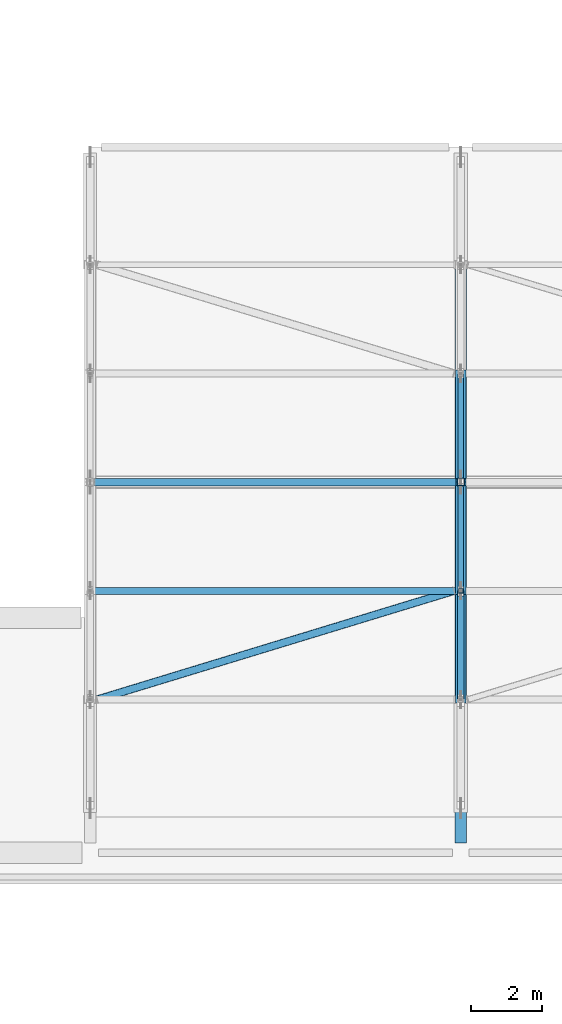
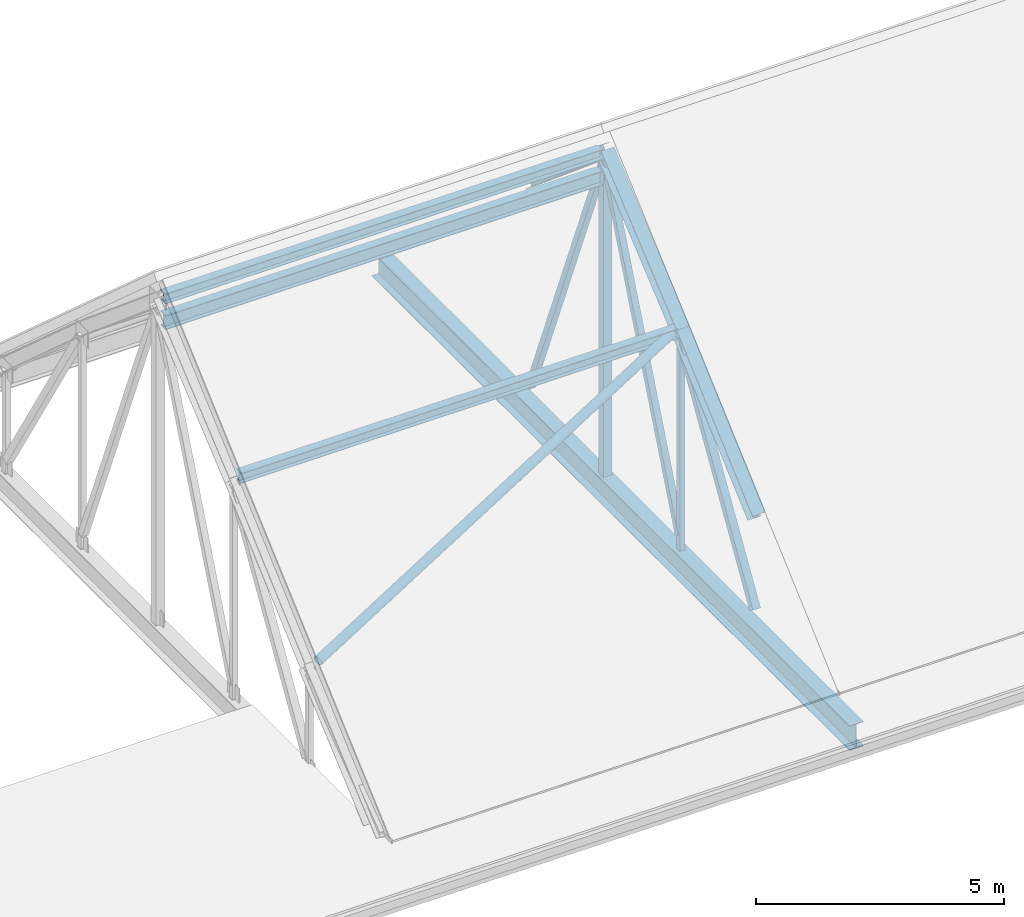
# One storey, part 13 of 86: 10 members, 3 beams.
"""IFC4 building model written with IfcOpenShell, lengths in metres."""

import ifcopenshell
import ifcopenshell.guid

model = None  # the IFC model being written
_history = None  # IfcOwnerHistory: only IFC2X3 demands one
_inside = {}  # id of a spatial element -> (the spatial element, [elements in it])
_under = {}  # id of a project, library or spatial element -> (it, [spatial elements below it])
_declared = {}  # id of a project -> (the project, [libraries it declares])
_typed = {}  # id of a type object -> (the type object, [elements of that type])
_made_of = {}  # id of a material, layer set ... -> (it, [elements and type objects made of it])


def new_model(schema):
    """Start an empty IFC model of exactly this schema.

    Asked for "IFC4X3", IfcOpenShell would pick the latest addendum, in which some entities
    have other attributes; the version numbers below select the first issue.
    IFC2X3 requires an IfcOwnerHistory on every rooted entity: one is made here for all.
    """
    global model, _history
    if schema == "IFC4X3":
        model = ifcopenshell.file(schema_version=(4, 3, 0, 0))
    else:
        model = ifcopenshell.file(schema=schema)
    _inside.clear()
    _under.clear()
    _declared.clear()
    _typed.clear()
    _made_of.clear()
    _history = None
    if model.schema == "IFC2X3":
        org = make("IfcOrganization", Name="unknown")
        user = make(
            "IfcPersonAndOrganization",
            ThePerson=make("IfcPerson", FamilyName="unknown"),
            TheOrganization=org,
        )
        app = make(
            "IfcApplication",
            ApplicationDeveloper=org,
            Version="unknown",
            ApplicationFullName="unknown",
            ApplicationIdentifier="unknown",
        )
        _history = make(
            "IfcOwnerHistory",
            OwningUser=user,
            OwningApplication=app,
            ChangeAction="ADDED",
            CreationDate=0,
        )
    return model


def make(cls, **values):
    """One entity of the class cls with the attributes given. An attribute that is None is left unset."""
    return model.create_entity(
        cls, **{name: value for name, value in values.items() if value is not None}
    )


def rooted(cls, **values):
    """An entity with a GlobalId (a new one), such as an element, a storey or a relation."""
    return make(cls, GlobalId=ifcopenshell.guid.new(), OwnerHistory=_history, **values)


def si_unit(unit_type, name, prefix=None):
    """IfcSIUnit, for example si_unit("LENGTHUNIT", "METRE", prefix="MILLI")."""
    return make("IfcSIUnit", UnitType=unit_type, Prefix=prefix, Name=name)


def derived_unit(unit_type, elements):
    """IfcDerivedUnit: a product of units, each with its exponent."""
    return make(
        "IfcDerivedUnit",
        Elements=[
            make("IfcDerivedUnitElement", Unit=unit, Exponent=power)
            for unit, power in elements
        ],
        UnitType=unit_type,
    )


def assignment(units):
    """IfcUnitAssignment: the units of a project."""
    return None if units is None else make("IfcUnitAssignment", Units=units)


def point(xyz):
    """IfcCartesianPoint."""
    return None if xyz is None else make("IfcCartesianPoint", Coordinates=xyz)


def direction(xyz):
    """IfcDirection."""
    return None if xyz is None else make("IfcDirection", DirectionRatios=xyz)


def frame(location, z_axis=None, x_axis=None):
    """IfcAxis2Placement3D, a coordinate frame: its origin and axes. An axis left out is left unset."""
    return make(
        "IfcAxis2Placement3D",
        Location=point(location),
        Axis=direction(z_axis),
        RefDirection=direction(x_axis),
    )


def frame_2d(location, x_axis=None):
    """IfcAxis2Placement2D, a coordinate frame in the plane: its origin and x axis."""
    return make(
        "IfcAxis2Placement2D", Location=point(location), RefDirection=direction(x_axis)
    )


def origin():
    """The frame at (0, 0, 0) with its axes left unset."""
    return frame((0.0, 0.0, 0.0))


def origin_2d():
    """The frame at (0, 0) in the plane with its x axis left unset."""
    return frame_2d((0.0, 0.0))


def place(relative_to, where):
    """IfcLocalPlacement: puts the frame where relative to a parent placement (None: the world)."""
    return make(
        "IfcLocalPlacement", PlacementRelTo=relative_to, RelativePlacement=where
    )


def context(
    kind, dimensions, precision=None, world=None, true_north=None, identifier=None
):
    """IfcGeometricRepresentationContext, for example the 3D "Model" context."""
    return make(
        "IfcGeometricRepresentationContext",
        ContextIdentifier=identifier,
        ContextType=kind,
        CoordinateSpaceDimension=dimensions,
        Precision=precision,
        WorldCoordinateSystem=world,
        TrueNorth=true_north,
    )


def subcontext(parent, identifier, kind, view, scale=None):
    """IfcGeometricRepresentationSubContext, for example "Body" below "Model"."""
    return make(
        "IfcGeometricRepresentationSubContext",
        ContextIdentifier=identifier,
        ContextType=kind,
        ParentContext=parent,
        TargetScale=scale,
        TargetView=view,
    )


def project(units=None, contexts=None):
    """IfcProject with its units and contexts."""
    return rooted(
        "IfcProject",
        Name="project",
        RepresentationContexts=contexts,
        UnitsInContext=assignment(units),
    )


def spatial(cls, under=None, at=None, **own):
    """A site, building, storey or space (cls), placed at a placement, below another one or the project."""
    s = rooted(cls, ObjectPlacement=at, **own)
    if under is not None:
        _under.setdefault(under.id(), (under, []))[1].append(s)
    return s


def profile(cls, at=None, kind="AREA", **sizes):
    """A parametric profile (cls). Its sizes go by their IFC names, for example OverallWidth=200.0."""
    return make(cls, ProfileType=kind, Position=at, **sizes)


def hollow_rectangle(**sizes):
    """IfcRectangleHollowProfileDef."""
    return profile("IfcRectangleHollowProfileDef", **sizes)


def hollow_circle(**sizes):
    """IfcCircleHollowProfileDef."""
    return profile("IfcCircleHollowProfileDef", **sizes)


def i_section(**sizes):
    """IfcIShapeProfileDef."""
    return profile("IfcIShapeProfileDef", **sizes)


def extrude(swept, where, along, depth):
    """IfcExtrudedAreaSolid: the profile swept, set in the frame where, extruded along a direction by depth."""
    return make(
        "IfcExtrudedAreaSolid",
        SweptArea=swept,
        Position=where,
        ExtrudedDirection=direction(along),
        Depth=depth,
    )


def shape(context_of_items, identifier, shape_type, items):
    """IfcShapeRepresentation: the items that make up one representation, for example the "Body"."""
    return make(
        "IfcShapeRepresentation",
        ContextOfItems=context_of_items,
        RepresentationIdentifier=identifier,
        RepresentationType=shape_type,
        Items=items,
    )


def material(Name=None, Category=None):
    """IfcMaterial."""
    return make("IfcMaterial", Name=Name, Category=Category)


def material_profile(
    of_material, cross_section, Name=None, Category=None, Priority=None
):
    """IfcMaterialProfile: a cross section and its material."""
    return make(
        "IfcMaterialProfile",
        Name=Name,
        Material=of_material,
        Profile=cross_section,
        Priority=Priority,
        Category=Category,
    )


def profile_set(profiles, Name=None, composite=None):
    """IfcMaterialProfileSet."""
    return make(
        "IfcMaterialProfileSet",
        Name=Name,
        MaterialProfiles=profiles,
        CompositeProfile=composite,
    )


def made_of(thing, what):
    """Note that an element or type object is made of a material, layer set ...; save() writes the relation."""
    if what is not None:
        _made_of.setdefault(what.id(), (what, []))[1].append(thing)
    return thing


def type_object(cls, material=None, **own):
    """A type object (cls), such as IfcWallType, which elements share."""
    return made_of(rooted(cls, **own), material)


def element(
    cls,
    number,
    at=None,
    inside=None,
    cuts=None,
    type_object=None,
    material=None,
    context=None,
    identifier="Body",
    shape_type=None,
    held_by="IfcProductDefinitionShape",
    body=None,
    shapes=None,
    **own,
):
    """One element of the class cls, such as IfcWall. Its Tag is "e" and its number.

    at: its placement. inside: the storey or other place that contains it. cuts: it is an
    opening in that element (IfcRelVoidsElement). A single representation is given by context,
    identifier, shape_type and body (its items); several are given by shapes. held_by: the class
    of the entity that holds the representations. save() writes the other relations.
    """
    e = rooted(cls, Tag="e%d" % number, ObjectPlacement=at, **own)
    if body is not None:
        shapes = [shape(context, identifier, shape_type, body)]
    if shapes is not None:
        e.Representation = make(held_by, Representations=shapes)
    if inside is not None:
        _inside.setdefault(inside.id(), (inside, []))[1].append(e)
    if cuts is not None:
        rooted(
            "IfcRelVoidsElement", RelatingBuildingElement=cuts, RelatedOpeningElement=e
        )
    if type_object is not None:
        _typed.setdefault(type_object.id(), (type_object, []))[1].append(e)
    return made_of(e, material)


def aggregate(whole, parts):
    """IfcRelAggregates: a whole, such as a stair, and the parts it consists of."""
    return rooted("IfcRelAggregates", RelatingObject=whole, RelatedObjects=parts)


def save(model, path):
    """Write the relations noted so far, then the file.

    IfcRelAggregates (storeys below a building ...), IfcRelContainedInSpatialStructure (elements
    in a storey), IfcRelDefinesByType, IfcRelAssociatesMaterial and IfcRelDeclares: one each for
    every whole, place, type object, material and project.
    """
    for whole, parts in _under.values():
        aggregate(whole, parts)
    for where, things in _inside.values():
        rooted(
            "IfcRelContainedInSpatialStructure",
            RelatedElements=things,
            RelatingStructure=where,
        )
    for kind, things in _typed.values():
        rooted("IfcRelDefinesByType", RelatedObjects=things, RelatingType=kind)
    for what, things in _made_of.values():
        rooted("IfcRelAssociatesMaterial", RelatedObjects=things, RelatingMaterial=what)
    for by, libraries in _declared.values():
        rooted("IfcRelDeclares", RelatingContext=by, RelatedDefinitions=libraries)
    model.write(path)


model = new_model("IFC4")

# Units and contexts
model_context = context("Model", 3, precision=1e-05, world=origin(), true_north=direction((0.0, 1.0)))
body_context = subcontext(model_context, "Body", "Model", "MODEL_VIEW")
ifc_project = project(units=[si_unit("LENGTHUNIT", "METRE"), si_unit("AREAUNIT", "SQUARE_METRE"), si_unit("VOLUMEUNIT", "CUBIC_METRE"), si_unit("PLANEANGLEUNIT", "RADIAN"), si_unit("MASSUNIT", "GRAM", prefix="KILO"), derived_unit("THERMALTRANSMITTANCEUNIT", [(si_unit("POWERUNIT", "WATT"), 1), (si_unit("LENGTHUNIT", "METRE"), -2), (si_unit("THERMODYNAMICTEMPERATUREUNIT", "KELVIN"), -1)])], contexts=[model_context])

# Site, building, storey
site_placement = place(None, origin())
site = spatial("IfcSite", under=ifc_project, at=site_placement, CompositionType="ELEMENT")
building_placement = place(site_placement, origin())
building = spatial("IfcBuilding", under=site, at=building_placement, Name="Braskholm Square Health Centre", CompositionType="ELEMENT")
storey_placement = place(building_placement, frame((0.0, 0.0, 13.5)))
storey = spatial("IfcBuildingStorey", under=building, at=storey_placement, Name="L04", CompositionType="ELEMENT", Elevation=13.5)

# Member
ifc_material_1 = material(Name="Steel ASTM A500 Grade C", Category="steel")
ifc_material_profile_1 = material_profile(ifc_material_1, hollow_circle(Radius=0.109619140625, WallThickness=0.0087890625, at=origin_2d()), Name="HSS8.625X0.375")
ifc_profile_set_1 = profile_set([ifc_material_profile_1], Name="Steel ASTM A500 Grade C")
member_type_1 = type_object("IfcMemberType", Name="RoofPlanBraceCHS219", PredefinedType="BRACE", material=ifc_profile_set_1)
member_1_placement = place(storey_placement, frame((47.800048828125, 91.5, 2.402099609375), z_axis=(0.925704815743, 0.282344488845, 0.251698596995), x_axis=(-0.291736758099, 0.956498648182, 0.0)))
element("IfcMember", 1, at=member_1_placement, inside=storey, type_object=member_type_1, Name="ROOF TRUSS slope brace South Bay 1", PredefinedType="BRACE", context=body_context, shape_type="SweptSolid", body=[
    extrude(hollow_circle(Radius=0.109619140625, WallThickness=0.0087890625, at=origin_2d()), origin(), (0.0, 0.0, 1.0), 10.802490234375),
])

# Beams
ifc_material_2 = material(Name="Steel ASTM A992 Grade 50", Category="steel")
ifc_material_profile_2 = material_profile(ifc_material_2, i_section(OverallWidth=0.201904296875, OverallDepth=0.2470703125, WebThickness=0.00732421875, FlangeThickness=0.010986328125, at=origin_2d()), Name="W10X33")
ifc_profile_set_2 = profile_set([ifc_material_profile_2], Name="Steel ASTM A992 Grade 50")
beam_type_1 = type_object("IfcBeamType", Name="RoofPurlinJoistW10X33", PredefinedType="JOIST", material=ifc_profile_set_2)
for number, where, z_axis, x_axis, name in (
    (2, (47.719970703125, 94.550048828125, 5.12109375), (1.0, 0.0, 0.0), (0.0, 1.0, 0.0), "ROOF TRUSS purlin joist 002"),
    (3, (47.719970703125, 97.60009765625, 7.679931640625), (1.0, 0.0, 0.0), (0.0, 1.0, 0.0), "ROOF TRUSS purlin joist 003"),
):
    element("IfcBeam", number, at=place(storey_placement, frame(where, z_axis=z_axis, x_axis=x_axis)), inside=storey, type_object=beam_type_1, Name=name, PredefinedType="JOIST", context=body_context, shape_type="SweptSolid", body=[
        extrude(i_section(OverallWidth=0.201904296875, OverallDepth=0.2470703125, WebThickness=0.00732421875, FlangeThickness=0.010986328125, at=origin_2d()), origin(), (0.0, 0.0, 1.0), 10.159912109375),
    ])
ifc_material_profile_3 = material_profile(ifc_material_2, i_section(OverallWidth=0.323974609375, OverallDepth=0.612060546875, WebThickness=0.0126953125, FlangeThickness=0.01904296875, at=origin_2d()), Name="W24X104")
ifc_profile_set_3 = profile_set([ifc_material_profile_3], Name="Steel ASTM A992 Grade 50")
beam_type_2 = type_object("IfcBeamType", Name="SteelGirderHallTieW24X104", PredefinedType="BEAM", material=ifc_profile_set_3)
beam_placement = place(storey_placement, frame((58.0, 87.47998046875, -0.580078125), z_axis=(0.0, 1.0, 0.0), x_axis=(-1.0, 0.0, 0.0)))
element("IfcBeam", 4, at=beam_placement, inside=storey, type_object=beam_type_2, Name="ROOF TRUSS tie girder TR-02", PredefinedType="BEAM", context=body_context, shape_type="SweptSolid", body=[
    extrude(i_section(OverallWidth=0.323974609375, OverallDepth=0.612060546875, WebThickness=0.0126953125, FlangeThickness=0.01904296875, at=origin_2d()), origin(), (0.0, 0.0, 1.0), 19.239990234375),
])

# Members
ifc_material_profile_4 = material_profile(ifc_material_2, i_section(OverallWidth=0.2041015625, OverallDepth=0.35009765625, WebThickness=0.008544921875, FlangeThickness=0.01513671875, at=origin_2d()), Name="W14X48")
ifc_profile_set_4 = profile_set([ifc_material_profile_4], Name="Steel ASTM A992 Grade 50")
member_type_2 = type_object("IfcMemberType", Name="TrussBottomChordW14X48", PredefinedType="CHORD", material=ifc_profile_set_4)
member_2_placement = place(storey_placement, frame((47.719970703125, 97.60009765625, 7.10009765625), z_axis=(1.0, 0.0, 0.0), x_axis=(0.0, 1.0, 0.0)))
element("IfcMember", 5, at=member_2_placement, inside=storey, type_object=member_type_2, Name="ROOF TRUSS ridge tie strut Bay 1", PredefinedType="CHORD", context=body_context, shape_type="SweptSolid", body=[
    extrude(i_section(OverallWidth=0.2041015625, OverallDepth=0.35009765625, WebThickness=0.008544921875, FlangeThickness=0.01513671875, at=origin_2d()), origin(), (0.0, 0.0, 1.0), 10.159912109375),
])
ifc_material_profile_5 = material_profile(ifc_material_1, hollow_rectangle(XDim=0.15234375, YDim=0.15234375, WallThickness=0.0087890625, at=origin_2d()), Name="HSS6X6X3/8")
ifc_profile_set_5 = profile_set([ifc_material_profile_5], Name="Steel ASTM A500 Grade C")
member_type_3 = type_object("IfcMemberType", Name="TrussCenterDiagHSS6X6", PredefinedType="BRACE", material=ifc_profile_set_5)
for number, where, z_axis, x_axis, name in (
    (6, (58.0, 94.594970703125, 0.071044921875), (0.0, 0.374971294581, 0.927036422284), (-1.0, 0.0, 0.0), "ROOF TRUSS diagonal web TR-02-D3"),
    (7, (58.0, 100.60498046875, 0.071044921875), (0.0, -0.374971294581, 0.927036422284), (1.0, 0.0, 0.0), "ROOF TRUSS diagonal web TR-02-D4"),
):
    element("IfcMember", number, at=place(storey_placement, frame(where, z_axis=z_axis, x_axis=x_axis)), inside=storey, type_object=member_type_3, Name=name, PredefinedType="BRACE", context=body_context, shape_type="SweptSolid", body=[
        extrude(hollow_rectangle(XDim=0.15234375, YDim=0.15234375, WallThickness=0.0087890625, at=origin_2d()), origin(), (0.0, 0.0, 1.0), 7.893798828125),
    ])
ifc_material_profile_6 = material_profile(ifc_material_2, i_section(OverallWidth=0.304931640625, OverallDepth=0.306884765625, WebThickness=0.010009765625, FlangeThickness=0.015380859375, at=origin_2d()), Name="W12X65")
ifc_profile_set_6 = profile_set([ifc_material_profile_6], Name="Steel ASTM A992 Grade 50")
member_type_4 = type_object("IfcMemberType", Name="TrussHipChordW12X65", PredefinedType="CHORD", material=ifc_profile_set_6)
member_3_placement = place(storey_placement, frame((58.0, 91.5, 2.382080078125), z_axis=(0.0, 0.746426169494, 0.665468236278), x_axis=(-1.0, 0.0, 0.0)))
element("IfcMember", 8, at=member_3_placement, inside=storey, type_object=member_type_4, Name="ROOF TRUSS top chord TR-02-2", PredefinedType="CHORD", context=body_context, shape_type="SweptSolid", body=[
    extrude(i_section(OverallWidth=0.304931640625, OverallDepth=0.306884765625, WebThickness=0.010009765625, FlangeThickness=0.015380859375, at=origin_2d()), origin(), (0.0, 0.0, 1.0), 4.086181640625),
])
member_4_placement = place(storey_placement, frame((58.0, 94.550048828125, 5.101318359375), z_axis=(0.0, 0.766131151452, 0.642684260563), x_axis=(-1.0, 0.0, 0.0)))
element("IfcMember", 9, at=member_4_placement, inside=storey, type_object=member_type_4, Name="ROOF TRUSS top chord TR-02-3", PredefinedType="CHORD", context=body_context, shape_type="SweptSolid", body=[
    extrude(i_section(OverallWidth=0.304931640625, OverallDepth=0.306884765625, WebThickness=0.010009765625, FlangeThickness=0.015380859375, at=origin_2d()), origin(), (0.0, 0.0, 1.0), 3.981201171875),
])
member_5_placement = place(storey_placement, frame((58.0, 97.60009765625, 7.659912109375), z_axis=(0.0, 0.766105819869, -0.642714456631), x_axis=(-1.0, 0.0, 0.0)))
element("IfcMember", 10, at=member_5_placement, inside=storey, type_object=member_type_4, Name="ROOF TRUSS top chord TR-02-4", PredefinedType="CHORD", context=body_context, shape_type="SweptSolid", body=[
    extrude(i_section(OverallWidth=0.304931640625, OverallDepth=0.306884765625, WebThickness=0.010009765625, FlangeThickness=0.015380859375, at=origin_2d()), origin(), (0.0, 0.0, 1.0), 3.98095703125),
])
ifc_material_profile_7 = material_profile(ifc_material_1, hollow_rectangle(XDim=0.177734375, YDim=0.177734375, WallThickness=0.0087890625, at=origin_2d()), Name="HSS7X7X3/8")
ifc_profile_set_7 = profile_set([ifc_material_profile_7], Name="Steel ASTM A500 Grade C")
member_type_5 = type_object("IfcMemberType", Name="TrussInnerDiagHSS7X7", PredefinedType="BRACE", material=ifc_profile_set_7)
member_6_placement = place(storey_placement, frame((58.0, 91.56298828125, 0.06201171875), z_axis=(0.0, 0.522065213128, 0.852905571117), x_axis=(-1.0, 0.0, 0.0)))
element("IfcMember", 11, at=member_6_placement, inside=storey, type_object=member_type_5, Name="ROOF TRUSS diagonal web TR-02-D2", PredefinedType="BRACE", context=body_context, shape_type="SweptSolid", body=[
    extrude(hollow_rectangle(XDim=0.177734375, YDim=0.177734375, WallThickness=0.0087890625, at=origin_2d()), origin(), (0.0, 0.0, 1.0), 5.60107421875),
])
ifc_material_profile_8 = material_profile(ifc_material_1, hollow_rectangle(XDim=0.126953125, YDim=0.126953125, WallThickness=0.00732421875, at=origin_2d()), Name="HSS5X5X5/16")
ifc_profile_set_8 = profile_set([ifc_material_profile_8], Name="Steel ASTM A500 Grade C")
member_type_6 = type_object("IfcMemberType", Name="TrussVerticalStrutHSS5X5", PredefinedType="STRUT", material=ifc_profile_set_8)
member_7_placement = place(storey_placement, frame((58.0, 94.550048828125, -0.27001953125), z_axis=(0.0, 0.0, 1.0), x_axis=(1.0, 0.0, 0.0)))
element("IfcMember", 12, at=member_7_placement, inside=storey, type_object=member_type_6, Name="ROOF TRUSS vertical strut TR-02-V2", PredefinedType="STRUT", context=body_context, shape_type="SweptSolid", body=[
    extrude(hollow_rectangle(XDim=0.126953125, YDim=0.126953125, WallThickness=0.00732421875, at=origin_2d()), origin(), (0.0, 0.0, 1.0), 5.21142578125),
])
ifc_material_profile_9 = material_profile(ifc_material_1, hollow_rectangle(XDim=0.203125, YDim=0.203125, WallThickness=0.0087890625, at=origin_2d()), Name="HSS8X8X3/8")
ifc_profile_set_9 = profile_set([ifc_material_profile_9], Name="Steel ASTM A500 Grade C")
member_type_7 = type_object("IfcMemberType", Name="TrussVerticalStrutHSS8X8", PredefinedType="STRUT", material=ifc_profile_set_9)
member_8_placement = place(storey_placement, frame((58.0, 97.60009765625, -0.27001953125), z_axis=(0.0, 0.0, 1.0), x_axis=(1.0, 0.0, 0.0)))
element("IfcMember", 13, at=member_8_placement, inside=storey, type_object=member_type_7, Name="ROOF TRUSS vertical strut TR-02-V3", PredefinedType="STRUT", context=body_context, shape_type="SweptSolid", body=[
    extrude(hollow_rectangle(XDim=0.203125, YDim=0.203125, WallThickness=0.0087890625, at=origin_2d()), origin(), (0.0, 0.0, 1.0), 7.77001953125),
])

save(model, "model.ifc")
